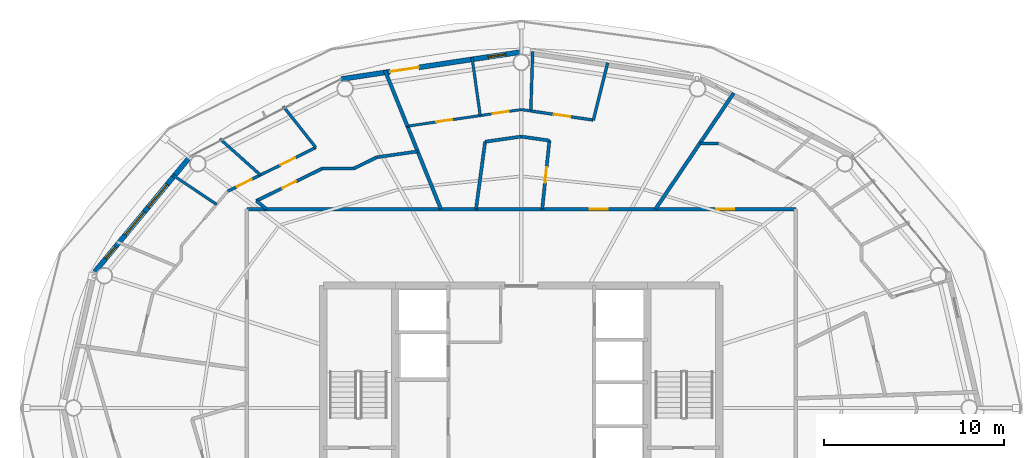
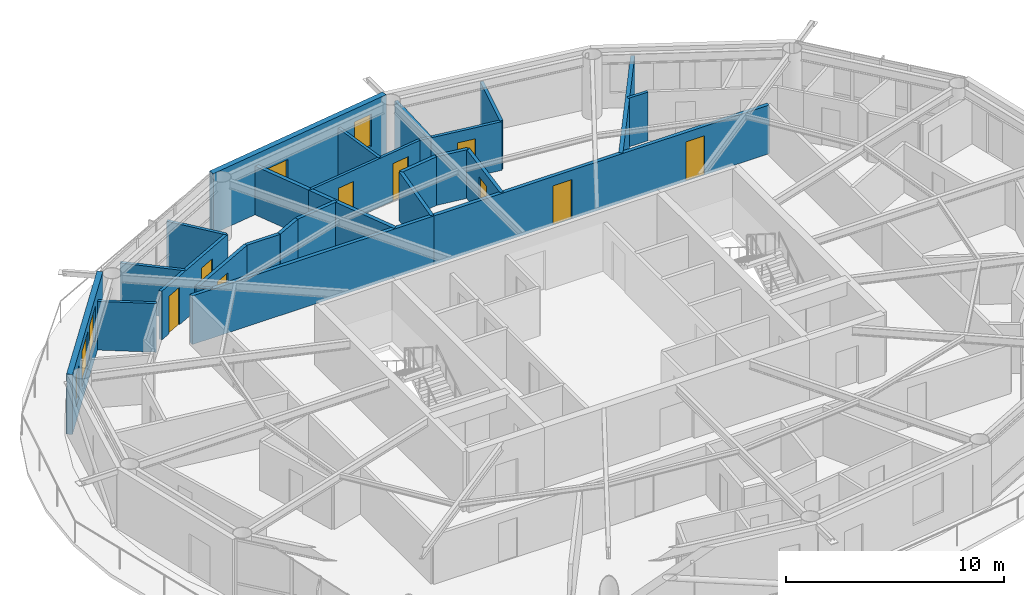
# One storey, part 19 of 23: 27 walls, 10 doors, 4 windows, 14 openings.
"""IFC4 building model written with IfcOpenShell, lengths in metres."""

from ifc_helpers import new_model, si_unit, direction, frame, frame_2d, origin, place, context, subcontext, project, spatial, rectangle, extrude, material, layer, layer_set, type_object, element, fill, save


model = new_model("IFC4")

# Units and contexts
model_context = context("Model", 3, precision=1e-05, world=origin(), true_north=direction((0.0, 1.0)))
body_context = subcontext(model_context, "Body", "Model", "MODEL_VIEW")
ifc_project = project(units=[si_unit("LENGTHUNIT", "METRE"), si_unit("AREAUNIT", "SQUARE_METRE"), si_unit("VOLUMEUNIT", "CUBIC_METRE"), si_unit("PLANEANGLEUNIT", "RADIAN"), si_unit("MASSUNIT", "GRAM", prefix="KILO")], contexts=[model_context])

# Site, building, storey
site_placement = place(None, origin())
site = spatial("IfcSite", under=ifc_project, at=site_placement, CompositionType="ELEMENT")
building_placement = place(site_placement, origin())
building = spatial("IfcBuilding", under=site, at=building_placement, Name="Sarneth Arch Tower", CompositionType="ELEMENT")
storey_placement = place(building_placement, frame((0.0, 0.0, 231.60009765625)))
storey = spatial("IfcBuildingStorey", under=building, at=storey_placement, Name="L59", CompositionType="ELEMENT", Elevation=231.60009765625)

# Wall
ifc_material_1 = material(Name="Double steel-stud corridor fire wall", Category="steel")
ifc_layer_1 = layer(ifc_material_1, 0.18994140625)
ifc_layer_set_1 = layer_set([ifc_layer_1], Name="Double steel-stud corridor fire wall")
wall_type_1 = type_object("IfcWallType", Name="WALL-CORR-190", PredefinedType="PARTITIONING", material=ifc_layer_set_1)
wall_1_placement = place(storey_placement, frame((32.75, 53.050048828125, 0.0), z_axis=(0.0, 0.0, 1.0), x_axis=(1.0, 0.0, 0.0)))
element("IfcWall", 1, at=wall_1_placement, inside=storey, type_object=wall_type_1, Name="L59 Interior partition W-L59-TP-009", PredefinedType="PARTITIONING", context=body_context, shape_type="SweptSolid", body=[
    extrude(rectangle(XDim=12.766357421875, YDim=0.18994140625, at=frame_2d((6.38330078125, 0.0))), origin(), (0.0, 0.0, 1.0), 2.719970703125),
])

# Wall, openings, doors
wall_2_placement = place(storey_placement, frame((45.45166015625, 53.050048828125, 0.0), z_axis=(0.0, 0.0, 1.0), x_axis=(1.0, 0.0, 0.0)))
wall_2 = element("IfcWall", 2, at=wall_2_placement, inside=storey, type_object=wall_type_1, Name="L59 Interior partition W-L59-TP-001", PredefinedType="PARTITIONING", context=body_context, shape_type="SweptSolid", body=[
    extrude(rectangle(XDim=17.79833984375, YDim=0.18994140625, at=frame_2d((8.899169921875, 0.0))), origin(), (0.0, 0.0, 1.0), 2.719970703125),
])
opening_1_placement = place(wall_2_placement, frame((13.380615234375, 0.0, 0.0)))
opening_1 = element("IfcOpeningElement", 3, at=opening_1_placement, cuts=wall_2, Name="Opening FD-08", PredefinedType="OPENING", context=body_context, shape_type="SweptSolid", body=[
    extrude(rectangle(XDim=1.0, YDim=2.199951171875, at=frame_2d((0.5, 1.10009765625))), frame((0.0, 0.10498046875, 0.0), z_axis=(0.0, -1.0, 0.0), x_axis=(1.0, 0.0, 0.0)), (0.0, 0.0, 1.0), 0.2099609375),
])
opening_2_placement = place(wall_2_placement, frame((6.35888671875, 0.0, 0.0)))
opening_2 = element("IfcOpeningElement", 4, at=opening_2_placement, cuts=wall_2, Name="Opening FD-08", PredefinedType="OPENING", context=body_context, shape_type="SweptSolid", body=[
    extrude(rectangle(XDim=1.0, YDim=2.199951171875, at=frame_2d((0.5, 1.10009765625))), frame((0.0, 0.10498046875, 0.0), z_axis=(0.0, -1.0, 0.0), x_axis=(1.0, 0.0, 0.0)), (0.0, 0.0, 1.0), 0.2099609375),
])
ifc_material_2 = material(Name="Hardwood timber acoustic fire door", Category="wood")
door_type_1 = type_object("IfcDoorType", Name="DR-FD60-1000", OperationType="SINGLE_SWING_LEFT", PredefinedType="DOOR", material=ifc_material_2)
door_1_placement = place(opening_1_placement, origin())
door_1 = element("IfcDoor", 5, at=door_1_placement, inside=storey, type_object=door_type_1, Name="L59 Interior door DR-L59-U1-ENT", OperationType="SINGLE_SWING_LEFT", OverallHeight=2.199951171875, OverallWidth=1.0, PredefinedType="DOOR", context=body_context, shape_type="SweptSolid", body=[
    extrude(rectangle(XDim=1.0, YDim=2.199951171875, at=frame_2d((0.5, 1.10009765625))), frame((0.0, 0.02490234375, 0.0), z_axis=(0.0, -1.0, 0.0), x_axis=(1.0, 0.0, 0.0)), (0.0, 0.0, 1.0), 0.050048828125),
])
fill(opening_1, door_1)
door_2_placement = place(opening_2_placement, origin())
door_2 = element("IfcDoor", 6, at=door_2_placement, inside=storey, type_object=door_type_1, Name="L59 Interior door DR-L59-U2-ENT", OperationType="SINGLE_SWING_RIGHT", OverallHeight=2.199951171875, OverallWidth=1.0, PredefinedType="DOOR", context=body_context, shape_type="SweptSolid", body=[
    extrude(rectangle(XDim=1.0, YDim=2.199951171875, at=frame_2d((0.5, 1.10009765625))), frame((0.0, 0.02490234375, 0.0), z_axis=(0.0, -1.0, 0.0), x_axis=(1.0, 0.0, 0.0)), (0.0, 0.0, 1.0), 0.050048828125),
])
fill(opening_2, door_2)

# Wall, openings, door, window
ifc_material_3 = material(Name="Extruded terracotta rainscreen on Concrete C40/50 backing", Category="masonry")
ifc_layer_2 = layer(ifc_material_3, 0.280029296875)
ifc_layer_set_2 = layer_set([ifc_layer_2], Name="Extruded terracotta rainscreen on Concrete C40/50 backing")
wall_type_2 = type_object("IfcWallType", Name="WALL-EXT-TERRA-280", PredefinedType="SOLIDWALL", material=ifc_layer_set_2)
wall_3_placement = place(storey_placement, frame((48.0, 61.780029296875, 0.0), z_axis=(0.0, 0.0, 1.0), x_axis=(-0.988882522213, -0.148698881169, 0.0)))
wall_3 = element("IfcWall", 7, at=wall_3_placement, inside=storey, type_object=wall_type_2, Name="L59 Terracotta perimeter wall 05", PredefinedType="SOLIDWALL", context=body_context, shape_type="SweptSolid", body=[
    extrude(rectangle(XDim=10.125244140625, YDim=0.280029296875, at=frame_2d((5.0625, 0.0))), origin(), (0.0, 0.0, 1.0), 3.35986328125),
])
opening_3_placement = place(wall_3_placement, frame((5.7666015625, 0.0, 0.0)))
opening_3 = element("IfcOpeningElement", 8, at=opening_3_placement, cuts=wall_3, Name="Opening BD-1", PredefinedType="OPENING", context=body_context, shape_type="SweptSolid", body=[
    extrude(rectangle(XDim=1.60009765625, YDim=2.25, at=frame_2d((0.800048828125, 1.125))), frame((0.0, 0.14990234375, 0.0), z_axis=(0.0, -1.0, 0.0), x_axis=(1.0, 0.0, 0.0)), (0.0, 0.0, 1.0), 0.300048828125),
])
opening_4_placement = place(wall_3_placement, frame((0.8662109375, 0.0, 0.85009765625)))
opening_4 = element("IfcOpeningElement", 9, at=opening_4_placement, cuts=wall_3, Name="Opening W-11", PredefinedType="OPENING", context=body_context, shape_type="SweptSolid", body=[
    extrude(rectangle(XDim=1.0, YDim=1.800048828125, at=frame_2d((0.5, 0.89990234375))), frame((0.0, 0.14990234375, 0.0), z_axis=(0.0, -1.0, 0.0), x_axis=(1.0, 0.0, 0.0)), (0.0, 0.0, 1.0), 0.300048828125),
])
ifc_material_4 = material(Name="Thermally broken Aluminium 6063-T6 and laminated safety glass", Category="aluminium")
door_type_2 = type_object("IfcDoorType", Name="DR-BALC-GLZ-1600", OperationType="DOUBLE_DOOR_SINGLE_SWING", PredefinedType="DOOR", material=ifc_material_4)
door_3_placement = place(opening_3_placement, origin())
door_3 = element("IfcDoor", 10, at=door_3_placement, inside=storey, type_object=door_type_2, Name="L59 Balcony glazed door 05", OperationType="DOUBLE_DOOR_SINGLE_SWING", OverallHeight=2.25, OverallWidth=1.60009765625, PredefinedType="DOOR", context=body_context, shape_type="SweptSolid", body=[
    extrude(rectangle(XDim=1.60009765625, YDim=2.25, at=frame_2d((0.800048828125, 1.125))), frame((0.0, 0.02490234375, 0.0), z_axis=(0.0, -1.0, 0.0), x_axis=(1.0, 0.0, 0.0)), (0.0, 0.0, 1.0), 0.050048828125),
])
fill(opening_3, door_3)
ifc_material_5 = material(Name="Thermally broken Aluminium 6063-T6 and low-e laminated IGU", Category="aluminium")
window_type_1 = type_object("IfcWindowType", Name="WIN-TWR-1000x1800", PartitioningType="SINGLE_PANEL", PredefinedType="WINDOW", material=ifc_material_5)
window_1_placement = place(opening_4_placement, origin())
window_1 = element("IfcWindow", 11, at=window_1_placement, inside=storey, type_object=window_type_1, Name="L59 Dwelling bedroom window 02", OverallHeight=1.800048828125, OverallWidth=1.0, PartitioningType="SINGLE_PANEL", PredefinedType="WINDOW", context=body_context, shape_type="SweptSolid", body=[
    extrude(rectangle(XDim=1.0, YDim=1.800048828125, at=frame_2d((0.5, 0.89990234375))), frame((0.0, 0.030029296875, 0.0), z_axis=(0.0, -1.0, 0.0), x_axis=(1.0, 0.0, 0.0)), (0.0, 0.0, 1.0), 0.06005859375),
])
fill(opening_4, window_1)

# Wall, openings, windows
wall_4_placement = place(storey_placement, frame((29.617431640625, 55.986572265625, 0.0), z_axis=(0.0, 0.0, 1.0), x_axis=(-0.63761509934, -0.770355103243, 0.0)))
wall_4 = element("IfcWall", 12, at=wall_4_placement, inside=storey, type_object=wall_type_2, Name="L59 Terracotta perimeter wall 07", PredefinedType="SOLIDWALL", context=body_context, shape_type="SweptSolid", body=[
    extrude(rectangle(XDim=8.329833984375, YDim=0.280029296875, at=frame_2d((4.1650390625, 0.0))), origin(), (0.0, 0.0, 1.0), 3.35986328125),
])
opening_5_placement = place(wall_4_placement, frame((2.031005859375, 0.0, 0.85009765625)))
opening_5 = element("IfcOpeningElement", 13, at=opening_5_placement, cuts=wall_4, Name="Opening W-05", PredefinedType="OPENING", context=body_context, shape_type="SweptSolid", body=[
    extrude(rectangle(XDim=1.64990234375, YDim=2.0, at=frame_2d((0.824951171875, 1.0))), frame((0.0, 0.14990234375, 0.0), z_axis=(0.0, -1.0, 0.0), x_axis=(1.0, 0.0, 0.0)), (0.0, 0.0, 1.0), 0.300048828125),
])
opening_6_placement = place(wall_4_placement, frame((4.025390625, 0.0, 0.85009765625)))
opening_6 = element("IfcOpeningElement", 14, at=opening_6_placement, cuts=wall_4, Name="Opening W-05", PredefinedType="OPENING", context=body_context, shape_type="SweptSolid", body=[
    extrude(rectangle(XDim=1.64990234375, YDim=2.0, at=frame_2d((0.824951171875, 1.0))), frame((0.0, 0.14990234375, 0.0), z_axis=(0.0, -1.0, 0.0), x_axis=(1.0, 0.0, 0.0)), (0.0, 0.0, 1.0), 0.300048828125),
])
opening_7_placement = place(wall_4_placement, frame((6.536376953125, 0.0, 0.85009765625)))
opening_7 = element("IfcOpeningElement", 15, at=opening_7_placement, cuts=wall_4, Name="Opening W-12", PredefinedType="OPENING", context=body_context, shape_type="SweptSolid", body=[
    extrude(rectangle(XDim=0.85009765625, YDim=1.800048828125, at=frame_2d((0.425048828125, 0.89990234375))), frame((0.0, 0.14990234375, 0.0), z_axis=(0.0, -1.0, 0.0), x_axis=(1.0, 0.0, 0.0)), (0.0, 0.0, 1.0), 0.300048828125),
])
ifc_material_6 = material(Name="Thermally broken Aluminium 6063-T6 and low-e laminated IGU", Category="aluminium")
window_type_2 = type_object("IfcWindowType", Name="WIN-TWR-1650x2000", PartitioningType="DOUBLE_PANEL_VERTICAL", PredefinedType="WINDOW", material=ifc_material_6)
window_2_placement = place(opening_5_placement, origin())
window_2 = element("IfcWindow", 16, at=window_2_placement, inside=storey, type_object=window_type_2, Name="L59 Exterior window 07A", OverallHeight=2.0, OverallWidth=1.64990234375, PartitioningType="SINGLE_PANEL", PredefinedType="WINDOW", context=body_context, shape_type="SweptSolid", body=[
    extrude(rectangle(XDim=1.64990234375, YDim=2.0, at=frame_2d((0.824951171875, 1.0))), frame((0.0, 0.030029296875, 0.0), z_axis=(0.0, -1.0, 0.0), x_axis=(1.0, 0.0, 0.0)), (0.0, 0.0, 1.0), 0.06005859375),
])
fill(opening_5, window_2)
window_3_placement = place(opening_6_placement, origin())
window_3 = element("IfcWindow", 17, at=window_3_placement, inside=storey, type_object=window_type_2, Name="L59 Exterior window 07B", OverallHeight=2.0, OverallWidth=1.64990234375, PartitioningType="SINGLE_PANEL", PredefinedType="WINDOW", context=body_context, shape_type="SweptSolid", body=[
    extrude(rectangle(XDim=1.64990234375, YDim=2.0, at=frame_2d((0.824951171875, 1.0))), frame((0.0, 0.030029296875, 0.0), z_axis=(0.0, -1.0, 0.0), x_axis=(1.0, 0.0, 0.0)), (0.0, 0.0, 1.0), 0.06005859375),
])
fill(opening_6, window_3)
ifc_material_7 = material(Name="Thermally broken Aluminium 6063-T6 and low-e laminated IGU", Category="aluminium")
window_type_3 = type_object("IfcWindowType", Name="WIN-TWR-850x1800", PartitioningType="SINGLE_PANEL", PredefinedType="WINDOW", material=ifc_material_7)
window_4_placement = place(opening_7_placement, origin())
window_4 = element("IfcWindow", 18, at=window_4_placement, inside=storey, type_object=window_type_3, Name="L59 Dwelling bedroom window 03", OverallHeight=1.800048828125, OverallWidth=0.85009765625, PartitioningType="SINGLE_PANEL", PredefinedType="WINDOW", context=body_context, shape_type="SweptSolid", body=[
    extrude(rectangle(XDim=0.85009765625, YDim=1.800048828125, at=frame_2d((0.425048828125, 0.89990234375))), frame((0.0, 0.030029296875, 0.0), z_axis=(0.0, -1.0, 0.0), x_axis=(1.0, 0.0, 0.0)), (0.0, 0.0, 1.0), 0.06005859375),
])
fill(opening_7, window_4)

# Wall, openings, doors
ifc_material_8 = material(Name="Apartment internal stud partition", Category="gypsum")
ifc_layer_3 = layer(ifc_material_8, 0.139892578125)
ifc_layer_set_3 = layer_set([ifc_layer_3], Name="Apartment internal stud partition")
wall_type_3 = type_object("IfcWallType", Name="WALL-PART-140", PredefinedType="PARTITIONING", material=ifc_layer_set_3)
wall_5_placement = place(storey_placement, frame((41.673828125, 57.657470703125, 0.0), z_axis=(0.0, 0.0, 1.0), x_axis=(0.989537524877, 0.144275732054, 0.0)))
wall_5 = element("IfcWall", 19, at=wall_5_placement, inside=storey, type_object=wall_type_3, Name="L59 Interior partition W-L59-TP-048", PredefinedType="PARTITIONING", context=body_context, shape_type="SweptSolid", body=[
    extrude(rectangle(XDim=6.39306640625, YDim=0.139892578125, at=frame_2d((3.196533203125, 0.0))), origin(), (0.0, 0.0, 1.0), 2.719970703125),
])
opening_8_placement = place(wall_5_placement, frame((1.608642578125, 0.0, 0.0)))
opening_8 = element("IfcOpeningElement", 20, at=opening_8_placement, cuts=wall_5, Name="Opening ID-01", PredefinedType="OPENING", context=body_context, shape_type="SweptSolid", body=[
    extrude(rectangle(XDim=0.89990234375, YDim=2.10009765625, at=frame_2d((0.449951171875, 1.050048828125))), frame((0.0, 0.079833984375, 0.0), z_axis=(0.0, -1.0, 0.0), x_axis=(1.0, 0.0, 0.0)), (0.0, 0.0, 1.0), 0.159912109375),
])
opening_9_placement = place(wall_5_placement, frame((4.789306640625, 0.0, 0.0)))
opening_9 = element("IfcOpeningElement", 21, at=opening_9_placement, cuts=wall_5, Name="Opening ID-01", PredefinedType="OPENING", context=body_context, shape_type="SweptSolid", body=[
    extrude(rectangle(XDim=0.89990234375, YDim=2.10009765625, at=frame_2d((0.449951171875, 1.050048828125))), frame((0.0, 0.079833984375, 0.0), z_axis=(0.0, -1.0, 0.0), x_axis=(1.0, 0.0, 0.0)), (0.0, 0.0, 1.0), 0.159912109375),
])
ifc_material_9 = material(Name="Engineered hardwood flush door", Category="wood")
door_type_3 = type_object("IfcDoorType", Name="DR-INT-900", OperationType="SINGLE_SWING_LEFT", PredefinedType="DOOR", material=ifc_material_9)
door_4_placement = place(opening_8_placement, origin())
door_4 = element("IfcDoor", 22, at=door_4_placement, inside=storey, type_object=door_type_3, Name="L59 Interior door DR-L59-U2-BED2", OperationType="SINGLE_SWING_RIGHT", OverallHeight=2.10009765625, OverallWidth=0.89990234375, PredefinedType="DOOR", context=body_context, shape_type="SweptSolid", body=[
    extrude(rectangle(XDim=0.89990234375, YDim=2.10009765625, at=frame_2d((0.449951171875, 1.050048828125))), frame((0.0, 0.02490234375, 0.0), z_axis=(0.0, -1.0, 0.0), x_axis=(1.0, 0.0, 0.0)), (0.0, 0.0, 1.0), 0.050048828125),
])
fill(opening_8, door_4)
door_5_placement = place(opening_9_placement, origin())
door_5 = element("IfcDoor", 23, at=door_5_placement, inside=storey, type_object=door_type_3, Name="L59 Interior door DR-L59-U2-BED1", OperationType="SINGLE_SWING_RIGHT", OverallHeight=2.10009765625, OverallWidth=0.89990234375, PredefinedType="DOOR", context=body_context, shape_type="SweptSolid", body=[
    extrude(rectangle(XDim=0.89990234375, YDim=2.10009765625, at=frame_2d((0.449951171875, 1.050048828125))), frame((0.0, 0.02490234375, 0.0), z_axis=(0.0, -1.0, 0.0), x_axis=(1.0, 0.0, 0.0)), (0.0, 0.0, 1.0), 0.050048828125),
])
fill(opening_9, door_5)

# Walls
ifc_material_10 = material(Name="Acoustic gypsum stud partition", Category="gypsum")
ifc_layer_4 = layer(ifc_material_10, 0.14990234375)
ifc_layer_set_4 = layer_set([ifc_layer_4], Name="Acoustic gypsum stud partition")
wall_type_4 = type_object("IfcWallType", Name="WALL-PART-150", PredefinedType="PARTITIONING", material=ifc_layer_set_4)
wall_6_placement = place(storey_placement, frame((45.716552734375, 58.2470703125, 0.0), z_axis=(0.0, 0.0, 1.0), x_axis=(-0.139134872395, 0.990273440664, 0.0)))
element("IfcWall", 24, at=wall_6_placement, inside=storey, type_object=wall_type_4, Name="L59 Interior partition W-L59-TP-052", PredefinedType="PARTITIONING", context=body_context, shape_type="SweptSolid", body=[
    extrude(rectangle(XDim=3.274169921875, YDim=0.14990234375, at=frame_2d((1.63720703125, 0.0))), origin(), (0.0, 0.0, 1.0), 2.719970703125),
])
wall_7_placement = place(storey_placement, frame((28.609375, 54.955810546875, 0.0), z_axis=(0.0, 0.0, 1.0), x_axis=(0.831478101563, -0.555557527733, 0.0)))
element("IfcWall", 25, at=wall_7_placement, inside=storey, type_object=wall_type_4, Name="L59 Interior partition W-L59-TP-070", PredefinedType="PARTITIONING", context=body_context, shape_type="SweptSolid", body=[
    extrude(rectangle(XDim=2.956298828125, YDim=0.14990234375, at=frame_2d((1.47802734375, 0.0))), origin(), (0.0, 0.0, 1.0), 2.719970703125),
])
wall_8_placement = place(storey_placement, frame((57.915283203125, 56.699951171875, 0.0), z_axis=(0.0, 0.0, 1.0), x_axis=(1.0, 0.0, 0.0)))
element("IfcWall", 26, at=wall_8_placement, inside=storey, type_object=wall_type_4, Name="L59 Interior partition W-L59-TP-030", PredefinedType="PARTITIONING", context=body_context, shape_type="SweptSolid", body=[
    extrude(rectangle(XDim=1.048583984375, YDim=0.14990234375, at=frame_2d((0.5244140625, 0.0))), origin(), (0.0, 0.0, 1.0), 2.719970703125),
])
wall_9_placement = place(storey_placement, frame((48.527099609375, 58.503173828125, 0.0), z_axis=(0.0, 0.0, 1.0), x_axis=(-0.989523434522, 0.144372339914, 0.0)))
element("IfcWall", 27, at=wall_9_placement, inside=storey, type_object=wall_type_4, Name="L59 Interior partition W-L59-TP-046", PredefinedType="PARTITIONING", context=body_context, shape_type="SweptSolid", body=[
    extrude(rectangle(XDim=0.53271484375, YDim=0.14990234375, at=frame_2d((0.266357421875, 0.0))), origin(), (0.0, 0.0, 1.0), 2.719970703125),
])

# Wall, opening, door
ifc_material_11 = material(Name="Kitchen wet service chase wall", Category="gypsum")
ifc_layer_5 = layer(ifc_material_11, 0.159912109375)
ifc_layer_set_5 = layer_set([ifc_layer_5], Name="Kitchen wet service chase wall")
wall_type_5 = type_object("IfcWallType", Name="WALL-PLUMB-160", PredefinedType="PLUMBINGWALL", material=ifc_layer_set_5)
wall_10_placement = place(storey_placement, frame((52.0009765625, 57.99658203125, 0.0), z_axis=(0.0, 0.0, 1.0), x_axis=(-0.989533601714, 0.144302637118, 0.0)))
wall_10 = element("IfcWall", 28, at=wall_10_placement, inside=storey, type_object=wall_type_5, Name="L59 Interior partition W-L59-TP-041", PredefinedType="PLUMBINGWALL", context=body_context, shape_type="SweptSolid", body=[
    extrude(rectangle(XDim=3.5107421875, YDim=0.159912109375, at=frame_2d((1.75537109375, 0.0))), origin(), (0.0, 0.0, 1.0), 2.719970703125),
])
opening_10_placement = place(wall_10_placement, frame((1.305419921875, 0.0, 0.0)))
opening_10 = element("IfcOpeningElement", 29, at=opening_10_placement, cuts=wall_10, Name="Opening ID-01", PredefinedType="OPENING", context=body_context, shape_type="SweptSolid", body=[
    extrude(rectangle(XDim=0.89990234375, YDim=2.10009765625, at=frame_2d((0.449951171875, 1.050048828125))), frame((0.0, 0.08984375, 0.0), z_axis=(0.0, -1.0, 0.0), x_axis=(1.0, 0.0, 0.0)), (0.0, 0.0, 1.0), 0.179931640625),
])
door_6_placement = place(opening_10_placement, origin())
door_6 = element("IfcDoor", 30, at=door_6_placement, inside=storey, type_object=door_type_3, Name="L59 Interior door DR-L59-U2-KIT", OperationType="SINGLE_SWING_RIGHT", OverallHeight=2.10009765625, OverallWidth=0.89990234375, PredefinedType="DOOR", context=body_context, shape_type="SweptSolid", body=[
    extrude(rectangle(XDim=0.89990234375, YDim=2.10009765625, at=frame_2d((0.449951171875, 1.050048828125))), frame((0.0, 0.02490234375, 0.0), z_axis=(0.0, -1.0, 0.0), x_axis=(1.0, 0.0, 0.0)), (0.0, 0.0, 1.0), 0.050048828125),
])
fill(opening_10, door_6)

# Wall, openings, doors
wall_11_placement = place(storey_placement, frame((31.688720703125, 54.0419921875, 0.0), z_axis=(0.0, 0.0, 1.0), x_axis=(0.895479575413, 0.445102606168, 0.0)))
wall_11 = element("IfcWall", 31, at=wall_11_placement, inside=storey, type_object=wall_type_5, Name="L59 Interior partition W-L59-TP-056", PredefinedType="PLUMBINGWALL", context=body_context, shape_type="SweptSolid", body=[
    extrude(rectangle(XDim=5.4619140625, YDim=0.159912109375, at=frame_2d((2.73095703125, 0.0))), origin(), (0.0, 0.0, 1.0), 2.719970703125),
])
opening_11_placement = place(wall_11_placement, frame((3.277587890625, 0.0, 0.0)))
opening_11 = element("IfcOpeningElement", 32, at=opening_11_placement, cuts=wall_11, Name="Opening ID-01", PredefinedType="OPENING", context=body_context, shape_type="SweptSolid", body=[
    extrude(rectangle(XDim=0.89990234375, YDim=2.10009765625, at=frame_2d((0.449951171875, 1.050048828125))), frame((0.0, 0.08984375, 0.0), z_axis=(0.0, -1.0, 0.0), x_axis=(1.0, 0.0, 0.0)), (0.0, 0.0, 1.0), 0.179931640625),
])
opening_12_placement = place(wall_11_placement, frame((0.5810546875, 0.0, 0.0)))
opening_12 = element("IfcOpeningElement", 33, at=opening_12_placement, cuts=wall_11, Name="Opening ID-01", PredefinedType="OPENING", context=body_context, shape_type="SweptSolid", body=[
    extrude(rectangle(XDim=0.89990234375, YDim=2.10009765625, at=frame_2d((0.449951171875, 1.050048828125))), frame((0.0, 0.08984375, 0.0), z_axis=(0.0, -1.0, 0.0), x_axis=(1.0, 0.0, 0.0)), (0.0, 0.0, 1.0), 0.179931640625),
])
door_7_placement = place(opening_11_placement, origin())
door_7 = element("IfcDoor", 34, at=door_7_placement, inside=storey, type_object=door_type_3, Name="L59 Interior door DR-L59-U3-KIT", OperationType="SINGLE_SWING_RIGHT", OverallHeight=2.10009765625, OverallWidth=0.89990234375, PredefinedType="DOOR", context=body_context, shape_type="SweptSolid", body=[
    extrude(rectangle(XDim=0.89990234375, YDim=2.10009765625, at=frame_2d((0.449951171875, 1.050048828125))), frame((0.0, 0.02490234375, 0.0), z_axis=(0.0, -1.0, 0.0), x_axis=(1.0, 0.0, 0.0)), (0.0, 0.0, 1.0), 0.050048828125),
])
fill(opening_11, door_7)
door_8_placement = place(opening_12_placement, origin())
door_8 = element("IfcDoor", 35, at=door_8_placement, inside=storey, type_object=door_type_3, Name="L59 Interior door DR-L59-U3-STD", OperationType="SINGLE_SWING_RIGHT", OverallHeight=2.10009765625, OverallWidth=0.89990234375, PredefinedType="DOOR", context=body_context, shape_type="SweptSolid", body=[
    extrude(rectangle(XDim=0.89990234375, YDim=2.10009765625, at=frame_2d((0.449951171875, 1.050048828125))), frame((0.0, 0.02490234375, 0.0), z_axis=(0.0, -1.0, 0.0), x_axis=(1.0, 0.0, 0.0)), (0.0, 0.0, 1.0), 0.050048828125),
])
fill(opening_12, door_8)

# Walls
wall_12_placement = place(storey_placement, frame((48.6328125, 61.805419921875, 0.0), z_axis=(0.0, 0.0, 1.0), x_axis=(-0.031996030035, -0.999487995957, 0.0)))
element("IfcWall", 36, at=wall_12_placement, inside=storey, type_object=wall_type_5, Name="L59 Interior partition W-L59-TP-051", PredefinedType="PLUMBINGWALL", context=body_context, shape_type="SweptSolid", body=[
    extrude(rectangle(XDim=3.303955078125, YDim=0.159912109375, at=frame_2d((1.65185546875, 0.0))), origin(), (0.0, 0.0, 1.0), 2.719970703125),
])
wall_13_placement = place(storey_placement, frame((52.797119140625, 61.179443359375, 0.0), z_axis=(0.0, 0.0, 1.0), x_axis=(-0.242658184372, -0.970111852086, 0.0)))
element("IfcWall", 37, at=wall_13_placement, inside=storey, type_object=wall_type_5, Name="L59 Interior partition W-L59-TP-040", PredefinedType="PLUMBINGWALL", context=body_context, shape_type="SweptSolid", body=[
    extrude(rectangle(XDim=3.281005859375, YDim=0.159912109375, at=frame_2d((1.640625, 0.0))), origin(), (0.0, 0.0, 1.0), 2.719970703125),
])
wall_14_placement = place(storey_placement, frame((33.504638671875, 54.944580078125, 0.0), z_axis=(0.0, 0.0, 1.0), x_axis=(-0.745914664094, 0.66604152565, 0.0)))
element("IfcWall", 38, at=wall_14_placement, inside=storey, type_object=wall_type_5, Name="L59 Interior partition W-L59-TP-069", PredefinedType="PLUMBINGWALL", context=body_context, shape_type="SweptSolid", body=[
    extrude(rectangle(XDim=3.013916015625, YDim=0.159912109375, at=frame_2d((1.5068359375, 0.0))), origin(), (0.0, 0.0, 1.0), 2.719970703125),
])
wall_15_placement = place(storey_placement, frame((36.579833984375, 56.47314453125, 0.0), z_axis=(0.0, 0.0, 1.0), x_axis=(-0.619378047354, 0.785092882694, 0.0)))
element("IfcWall", 39, at=wall_15_placement, inside=storey, type_object=wall_type_5, Name="L59 Interior partition W-L59-TP-057", PredefinedType="PLUMBINGWALL", context=body_context, shape_type="SweptSolid", body=[
    extrude(rectangle(XDim=2.9140625, YDim=0.159912109375, at=frame_2d((1.45703125, 0.0))), origin(), (0.0, 0.0, 1.0), 2.719970703125),
])

# Wall, opening, door
ifc_material_12 = material(Name="Moisture-resistant plumbing chase wall", Category="gypsum")
ifc_layer_6 = layer(ifc_material_12, 0.179931640625)
ifc_layer_set_6 = layer_set([ifc_layer_6], Name="Moisture-resistant plumbing chase wall")
wall_type_6 = type_object("IfcWallType", Name="WALL-PLUMB-180", PredefinedType="PLUMBINGWALL", material=ifc_layer_set_6)
wall_16_placement = place(storey_placement, frame((33.273193359375, 53.505615234375, 0.0), z_axis=(0.0, 0.0, 1.0), x_axis=(0.89778136281, 0.440441397454, 0.0)))
wall_16 = element("IfcWall", 40, at=wall_16_placement, inside=storey, type_object=wall_type_6, Name="L59 Interior partition W-L59-TP-059", PredefinedType="PLUMBINGWALL", context=body_context, shape_type="SweptSolid", body=[
    extrude(rectangle(XDim=4.07421875, YDim=0.179931640625, at=frame_2d((2.037109375, 0.0))), origin(), (0.0, 0.0, 1.0), 2.719970703125),
])
opening_13_placement = place(wall_16_placement, frame((1.612060546875, 0.0, 0.0)))
opening_13 = element("IfcOpeningElement", 41, at=opening_13_placement, cuts=wall_16, Name="Opening ID-02", PredefinedType="OPENING", context=body_context, shape_type="SweptSolid", body=[
    extrude(rectangle(XDim=0.85009765625, YDim=2.10009765625, at=frame_2d((0.425048828125, 1.050048828125))), frame((0.0, 0.099853515625, 0.0), z_axis=(0.0, -1.0, 0.0), x_axis=(1.0, 0.0, 0.0)), (0.0, 0.0, 1.0), 0.199951171875),
])
ifc_material_13 = material(Name="Moisture-resistant bathroom timber door", Category="wood")
door_type_4 = type_object("IfcDoorType", Name="DR-INT-850", OperationType="SINGLE_SWING_RIGHT", PredefinedType="DOOR", material=ifc_material_13)
door_9_placement = place(opening_13_placement, origin())
door_9 = element("IfcDoor", 42, at=door_9_placement, inside=storey, type_object=door_type_4, Name="L59 Interior door DR-L59-U3-BATH", OperationType="SINGLE_SWING_RIGHT", OverallHeight=2.10009765625, OverallWidth=0.85009765625, PredefinedType="DOOR", context=body_context, shape_type="SweptSolid", body=[
    extrude(rectangle(XDim=0.85009765625, YDim=2.10009765625, at=frame_2d((0.425048828125, 1.050048828125))), frame((0.0, 0.02490234375, 0.0), z_axis=(0.0, -1.0, 0.0), x_axis=(1.0, 0.0, 0.0)), (0.0, 0.0, 1.0), 0.050048828125),
])
fill(opening_13, door_9)

wall_17_placement = place(storey_placement, frame((49.161376953125, 53.050048828125, 0.0), z_axis=(0.0, 0.0, 1.0), x_axis=(0.10454201208, 0.994520471237, 0.0)))
wall_17 = element("IfcWall", 43, at=wall_17_placement, inside=storey, type_object=wall_type_6, Name="L59 Interior partition W-L59-TP-042", PredefinedType="PLUMBINGWALL", context=body_context, shape_type="SweptSolid", body=[
    extrude(rectangle(XDim=3.82763671875, YDim=0.179931640625, at=frame_2d((1.913818359375, 0.0))), origin(), (0.0, 0.0, 1.0), 2.719970703125),
])
opening_14_placement = place(wall_17_placement, frame((1.48876953125, 0.0, 0.0)))
opening_14 = element("IfcOpeningElement", 44, at=opening_14_placement, cuts=wall_17, Name="Opening ID-02", PredefinedType="OPENING", context=body_context, shape_type="SweptSolid", body=[
    extrude(rectangle(XDim=0.85009765625, YDim=2.10009765625, at=frame_2d((0.425048828125, 1.050048828125))), frame((0.0, 0.099853515625, 0.0), z_axis=(0.0, -1.0, 0.0), x_axis=(1.0, 0.0, 0.0)), (0.0, 0.0, 1.0), 0.199951171875),
])
door_10_placement = place(opening_14_placement, origin())
door_10 = element("IfcDoor", 45, at=door_10_placement, inside=storey, type_object=door_type_4, Name="L59 Interior door DR-L59-U2-BATH", OperationType="SINGLE_SWING_RIGHT", OverallHeight=2.10009765625, OverallWidth=0.85009765625, PredefinedType="DOOR", context=body_context, shape_type="SweptSolid", body=[
    extrude(rectangle(XDim=0.85009765625, YDim=2.10009765625, at=frame_2d((0.425048828125, 1.050048828125))), frame((0.0, 0.02490234375, 0.0), z_axis=(0.0, -1.0, 0.0), x_axis=(1.0, 0.0, 0.0)), (0.0, 0.0, 1.0), 0.050048828125),
])
fill(opening_14, door_10)

# Walls
wall_18_placement = place(storey_placement, frame((45.989990234375, 56.79248046875, 0.0), z_axis=(0.0, 0.0, 1.0), x_axis=(-0.134013985284, -0.990979440628, 0.0)))
element("IfcWall", 46, at=wall_18_placement, inside=storey, type_object=wall_type_6, Name="L59 Interior partition W-L59-TP-045", PredefinedType="PLUMBINGWALL", context=body_context, shape_type="SweptSolid", body=[
    extrude(rectangle(XDim=3.776611328125, YDim=0.179931640625, at=frame_2d((1.88818359375, 0.0))), origin(), (0.0, 0.0, 1.0), 2.719970703125),
])
wall_19_placement = place(storey_placement, frame((39.97607421875, 55.93212890625, 0.0), z_axis=(0.0, 0.0, 1.0), x_axis=(0.989917445937, 0.141645509032, 0.0)))
element("IfcWall", 47, at=wall_19_placement, inside=storey, type_object=wall_type_6, Name="L59 Interior partition W-L59-TP-062", PredefinedType="PLUMBINGWALL", context=body_context, shape_type="SweptSolid", body=[
    extrude(rectangle(XDim=2.287109375, YDim=0.179931640625, at=frame_2d((1.1435546875, 0.0))), origin(), (0.0, 0.0, 1.0), 2.719970703125),
])
wall_20_placement = place(storey_placement, frame((48.0, 57.080078125, 0.0), z_axis=(0.0, 0.0, 1.0), x_axis=(-0.989918207634, -0.141640185666, 0.0)))
element("IfcWall", 48, at=wall_20_placement, inside=storey, type_object=wall_type_6, Name="L59 Interior partition W-L59-TP-044", PredefinedType="PLUMBINGWALL", context=body_context, shape_type="SweptSolid", body=[
    extrude(rectangle(XDim=2.030517578125, YDim=0.179931640625, at=frame_2d((1.01513671875, 0.0))), origin(), (0.0, 0.0, 1.0), 2.719970703125),
])
wall_21_placement = place(storey_placement, frame((36.930908203125, 55.300048828125, 0.0), z_axis=(0.0, 0.0, 1.0), x_axis=(1.0, 0.0, 0.0)))
element("IfcWall", 49, at=wall_21_placement, inside=storey, type_object=wall_type_6, Name="L59 Interior partition W-L59-TP-060", PredefinedType="PLUMBINGWALL", context=body_context, shape_type="SweptSolid", body=[
    extrude(rectangle(XDim=1.748291015625, YDim=0.179931640625, at=frame_2d((0.8740234375, 0.0))), origin(), (0.0, 0.0, 1.0), 2.719970703125),
])
wall_22_placement = place(storey_placement, frame((49.5615234375, 56.856689453125, 0.0), z_axis=(0.0, 0.0, 1.0), x_axis=(-0.989921615496, 0.141616366194, 0.0)))
element("IfcWall", 50, at=wall_22_placement, inside=storey, type_object=wall_type_6, Name="L59 Interior partition W-L59-TP-043", PredefinedType="PLUMBINGWALL", context=body_context, shape_type="SweptSolid", body=[
    extrude(rectangle(XDim=1.577392578125, YDim=0.179931640625, at=frame_2d((0.78857421875, 0.0))), origin(), (0.0, 0.0, 1.0), 2.719970703125),
])
wall_23_placement = place(storey_placement, frame((38.67919921875, 55.300048828125, 0.0), z_axis=(0.0, 0.0, 1.0), x_axis=(0.898916394035, 0.438120207861, 0.0)))
element("IfcWall", 51, at=wall_23_placement, inside=storey, type_object=wall_type_6, Name="L59 Interior partition W-L59-TP-061", PredefinedType="PLUMBINGWALL", context=body_context, shape_type="SweptSolid", body=[
    extrude(rectangle(XDim=1.442626953125, YDim=0.179931640625, at=frame_2d((0.72119140625, 0.0))), origin(), (0.0, 0.0, 1.0), 2.719970703125),
])
wall_24_placement = place(storey_placement, frame((33.856689453125, 53.050048828125, 0.0), z_axis=(0.0, 0.0, 1.0), x_axis=(-0.788214334349, 0.615400815019, 0.0)))
element("IfcWall", 52, at=wall_24_placement, inside=storey, type_object=wall_type_6, Name="L59 Interior partition W-L59-TP-058", PredefinedType="PLUMBINGWALL", context=body_context, shape_type="SweptSolid", body=[
    extrude(rectangle(XDim=0.740234375, YDim=0.179931640625, at=frame_2d((0.3701171875, 0.0))), origin(), (0.0, 0.0, 1.0), 2.719970703125),
])
ifc_material_14 = material(Name="Double steel-stud acoustic drywall", Category="steel")
ifc_layer_7 = layer(ifc_material_14, 0.199951171875)
ifc_layer_set_7 = layer_set([ifc_layer_7], Name="Double steel-stud acoustic drywall")
wall_type_7 = type_object("IfcWallType", Name="WALL-UNIT-200", PredefinedType="PARTITIONING", material=ifc_layer_set_7)
wall_25_placement = place(storey_placement, frame((59.79931640625, 59.492919921875, 0.0), z_axis=(0.0, 0.0, 1.0), x_axis=(-0.559208454265, -0.8290270832, 0.0)))
element("IfcWall", 53, at=wall_25_placement, inside=storey, type_object=wall_type_7, Name="L59 Interior partition W-L59-TP-032", PredefinedType="PARTITIONING", context=body_context, shape_type="SweptSolid", body=[
    extrude(rectangle(XDim=7.771484375, YDim=0.199951171875, at=frame_2d((3.8857421875, 0.0))), origin(), (0.0, 0.0, 1.0), 2.719970703125),
])
wall_26_placement = place(storey_placement, frame((41.674072265625, 57.657470703125, 0.0), z_axis=(0.0, 0.0, 1.0), x_axis=(0.374573524941, -0.927197214412, 0.0)))
element("IfcWall", 54, at=wall_26_placement, inside=storey, type_object=wall_type_7, Name="L59 Interior partition W-L59-TP-050", PredefinedType="PARTITIONING", context=body_context, shape_type="SweptSolid", body=[
    extrude(rectangle(XDim=4.96923828125, YDim=0.199951171875, at=frame_2d((2.484619140625, 0.0))), origin(), (0.0, 0.0, 1.0), 2.719970703125),
])
wall_27_placement = place(storey_placement, frame((41.673828125, 57.657470703125, 0.0), z_axis=(0.0, 0.0, 1.0), x_axis=(-0.374572886439, 0.927197472357, 0.0)))
element("IfcWall", 55, at=wall_27_placement, inside=storey, type_object=wall_type_7, Name="L59 Interior partition W-L59-TP-053", PredefinedType="PARTITIONING", context=body_context, shape_type="SweptSolid", body=[
    extrude(rectangle(XDim=3.34423828125, YDim=0.199951171875, at=frame_2d((1.672119140625, 0.0))), origin(), (0.0, 0.0, 1.0), 2.719970703125),
])

save(model, "model.ifc")
